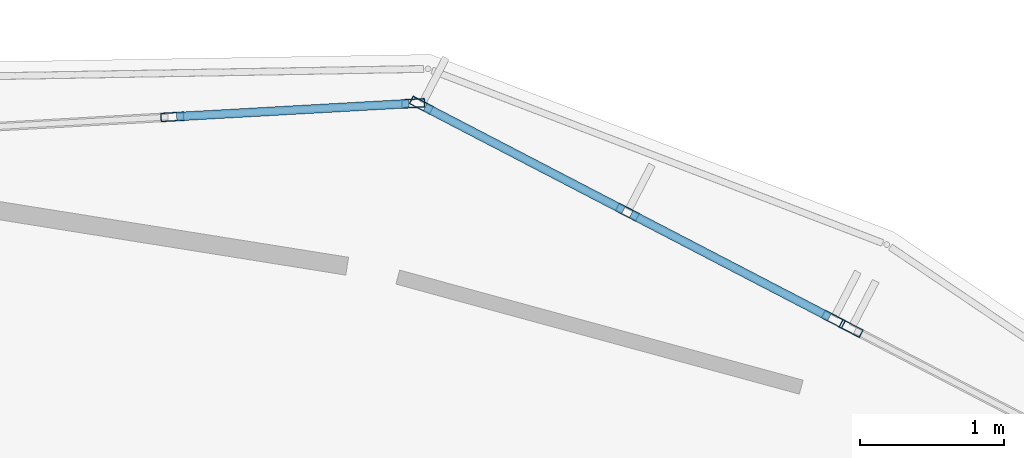
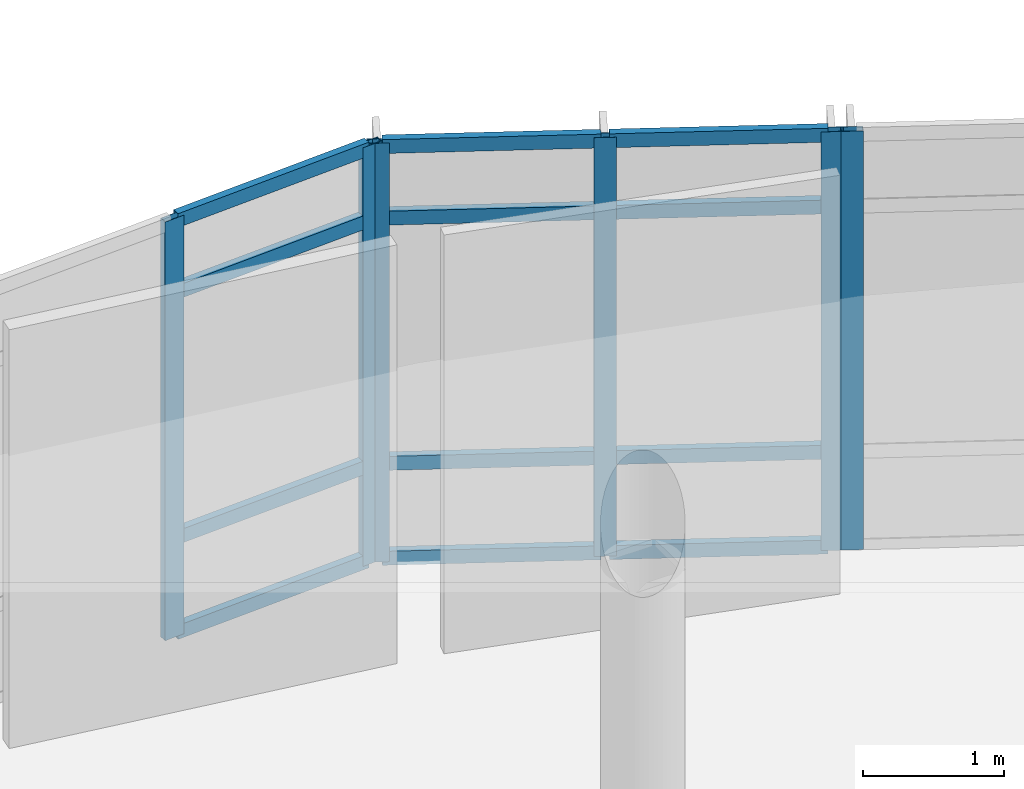
# One storey, part 46 of 74: 18 members, 3 elements without a shape of their own.
"""IFC4 building model written with IfcOpenShell, lengths in metres."""

from ifc_helpers import new_model, si_unit, derived_unit, direction, frame, origin, origin_2d, place, context, subcontext, project, spatial, hollow_rectangle, extrude, material, layer, layer_set, material_profile, profile_set, type_object, element, aggregate, save


model = new_model("IFC4")

# Units and contexts
model_context = context("Model", 3, precision=1e-05, world=origin(), true_north=direction((0.0, 1.0)))
body_context = subcontext(model_context, "Body", "Model", "MODEL_VIEW")
ifc_project = project(units=[si_unit("LENGTHUNIT", "METRE"), si_unit("AREAUNIT", "SQUARE_METRE"), si_unit("VOLUMEUNIT", "CUBIC_METRE"), si_unit("PLANEANGLEUNIT", "RADIAN"), si_unit("MASSUNIT", "GRAM", prefix="KILO"), derived_unit("THERMALTRANSMITTANCEUNIT", [(si_unit("POWERUNIT", "WATT"), 1), (si_unit("LENGTHUNIT", "METRE"), -2), (si_unit("THERMODYNAMICTEMPERATUREUNIT", "KELVIN"), -1)])], contexts=[model_context])

# Site, building, storey
site_placement = place(None, origin())
site = spatial("IfcSite", under=ifc_project, at=site_placement, CompositionType="ELEMENT")
building_placement = place(site_placement, origin())
building = spatial("IfcBuilding", under=site, at=building_placement, Name="Elbkamm Science Centre", CompositionType="ELEMENT")
storey_placement = place(building_placement, frame((0.0, 0.0, 14.39990234375)))
storey = spatial("IfcBuildingStorey", under=building, at=storey_placement, Name="L03", CompositionType="ELEMENT", Elevation=14.39990234375)

# Curtain wall, member
ifc_material_1 = material(Name="Powder-coated aluminium and triple low-E glazing", Category="aluminium")
ifc_layer_1 = layer(ifc_material_1, 0.159912109375)
ifc_layer_set_1 = layer_set([ifc_layer_1], Name="Powder-coated aluminium and triple low-E glazing")
curtain_wall_type_1 = type_object("IfcCurtainWallType", Name="CW-UNIT-3280x3620", PredefinedType="USERDEFINED", material=ifc_layer_set_1)
curtain_wall_1_placement = place(storey_placement, origin())
curtain_wall_1 = element("IfcCurtainWall", 1, at=curtain_wall_1_placement, inside=storey, type_object=curtain_wall_type_1, Name="L03 Unitised Curtain Wall 053", ObjectType="UNITISED CURTAIN WALL", PredefinedType="USERDEFINED")
ifc_material_2 = material(Name="Powder-coated aluminium EN AW-6060", Category="aluminium")
ifc_material_profile_1 = material_profile(ifc_material_2, hollow_rectangle(XDim=0.06005859375, YDim=0.159912109375, WallThickness=0.00390625, at=origin_2d()), Name="ALU M60x160")
ifc_profile_set_1 = profile_set([ifc_material_profile_1], Name="Powder-coated aluminium EN AW-6060")
member_type_1 = type_object("IfcMemberType", Name="CW-MUL-60x160", PredefinedType="MULLION", material=ifc_profile_set_1)
member_1_placement = place(storey_placement, frame((72.29345703125, 88.30126953125, 0.0), z_axis=(0.0, 0.0, 1.0), x_axis=(-0.461070562419, -0.887363474835, 0.0)))
member_1 = element("IfcMember", 2, at=member_1_placement, type_object=member_type_1, Name="CW-024 mullion 3", PredefinedType="MULLION", context=body_context, shape_type="SweptSolid", body=[
    extrude(hollow_rectangle(XDim=0.06005859375, YDim=0.159912109375, WallThickness=0.00390625, at=origin_2d()), origin(), (0.0, 0.0, 1.0), 3.6201171875),
])
aggregate(curtain_wall_1, [member_1])

# Curtain wall, members
curtain_wall_2_placement = place(storey_placement, origin())
curtain_wall_2 = element("IfcCurtainWall", 3, at=curtain_wall_2_placement, inside=storey, type_object=curtain_wall_type_1, Name="L03 Unitised Curtain Wall 054", ObjectType="UNITISED CURTAIN WALL", PredefinedType="USERDEFINED")
member_2_placement = place(storey_placement, frame((72.16943359375, 88.36572265625, 0.0), z_axis=(0.0, 0.0, 1.0), x_axis=(-0.461070562419, -0.887363474835, 0.0)))
member_2 = element("IfcMember", 4, at=member_2_placement, type_object=member_type_1, Name="CW-024 mullion 1", PredefinedType="MULLION", context=body_context, shape_type="SweptSolid", body=[
    extrude(hollow_rectangle(XDim=0.06005859375, YDim=0.159912109375, WallThickness=0.00390625, at=origin_2d()), origin(), (0.0, 0.0, 1.0), 3.6201171875),
])
member_3_placement = place(storey_placement, frame((70.740234375, 89.108154296875, 0.0), z_axis=(0.0, 0.0, 1.0), x_axis=(-0.461070562419, -0.887363474835, 0.0)))
member_3 = element("IfcMember", 5, at=member_3_placement, type_object=member_type_1, Name="CW-024 mullion 2", PredefinedType="MULLION", context=body_context, shape_type="SweptSolid", body=[
    extrude(hollow_rectangle(XDim=0.06005859375, YDim=0.159912109375, WallThickness=0.00390625, at=origin_2d()), origin(), (0.0, 0.0, 1.0), 3.6201171875),
])
member_4_placement = place(storey_placement, frame((69.311279296875, 89.850830078125, 0.0), z_axis=(0.0, 0.0, 1.0), x_axis=(-0.461070562419, -0.887363474835, 0.0)))
member_4 = element("IfcMember", 6, at=member_4_placement, type_object=member_type_1, Name="CW-024 mullion 3", PredefinedType="MULLION", context=body_context, shape_type="SweptSolid", body=[
    extrude(hollow_rectangle(XDim=0.06005859375, YDim=0.159912109375, WallThickness=0.00390625, at=origin_2d()), origin(), (0.0, 0.0, 1.0), 3.6201171875),
])

ifc_layer_2 = layer(ifc_material_1, 0.159912109375)
ifc_layer_set_2 = layer_set([ifc_layer_2], Name="Powder-coated aluminium and triple low-E glazing")
curtain_wall_type_2 = type_object("IfcCurtainWallType", Name="CW-UNIT-3400x3620", PredefinedType="USERDEFINED", material=ifc_layer_set_2)
curtain_wall_3_placement = place(storey_placement, origin())
curtain_wall_3 = element("IfcCurtainWall", 7, at=curtain_wall_3_placement, inside=storey, type_object=curtain_wall_type_2, Name="L03 Unitised Curtain Wall 055", ObjectType="UNITISED CURTAIN WALL", PredefinedType="USERDEFINED")
member_5_placement = place(storey_placement, frame((69.254638671875, 89.863037109375, 0.0), z_axis=(0.0, 0.0, 1.0), x_axis=(0.055785320279, -0.998442786564, 0.0)))
member_5 = element("IfcMember", 8, at=member_5_placement, type_object=member_type_1, Name="CW-025 mullion 1", PredefinedType="MULLION", context=body_context, shape_type="SweptSolid", body=[
    extrude(hollow_rectangle(XDim=0.06005859375, YDim=0.159912109375, WallThickness=0.00390625, at=origin_2d()), origin(), (0.0, 0.0, 1.0), 3.6201171875),
])
member_6_placement = place(storey_placement, frame((67.58349609375, 89.76953125, 0.0), z_axis=(0.0, 0.0, 1.0), x_axis=(0.055785320279, -0.998442786564, 0.0)))
member_6 = element("IfcMember", 9, at=member_6_placement, type_object=member_type_1, Name="CW-025 mullion 2", PredefinedType="MULLION", context=body_context, shape_type="SweptSolid", body=[
    extrude(hollow_rectangle(XDim=0.06005859375, YDim=0.159912109375, WallThickness=0.00390625, at=origin_2d()), origin(), (0.0, 0.0, 1.0), 3.6201171875),
])

# Member
ifc_material_profile_2 = material_profile(ifc_material_2, hollow_rectangle(XDim=0.06005859375, YDim=0.1201171875, WallThickness=0.00341796875, at=origin_2d()), Name="ALU T60x120")
ifc_profile_set_2 = profile_set([ifc_material_profile_2], Name="Powder-coated aluminium EN AW-6060")
member_type_2 = type_object("IfcMemberType", Name="CW-TRN-60x120", PredefinedType="USERDEFINED", material=ifc_profile_set_2)
member_7_placement = place(storey_placement, frame((72.142822265625, 88.379638671875, 0.030029296875), z_axis=(-0.88735856407, 0.461080013416, 0.0), x_axis=(-0.461080013416, -0.88735856407, 0.0)))
member_7 = element("IfcMember", 10, at=member_7_placement, type_object=member_type_2, Name="CW-024 transom 1.1", ObjectType="TRANSOM", PredefinedType="USERDEFINED", context=body_context, shape_type="SweptSolid", body=[
    extrude(hollow_rectangle(XDim=0.06005859375, YDim=0.1201171875, WallThickness=0.00341796875, at=origin_2d()), origin(), (0.0, 0.0, 1.0), 1.55029296875),
])

member_8_placement = place(storey_placement, frame((72.142822265625, 88.379638671875, 0.85009765625), z_axis=(-0.88735856407, 0.461080013416, 0.0), x_axis=(-0.461080013416, -0.88735856407, 0.0)))
member_8 = element("IfcMember", 11, at=member_8_placement, type_object=member_type_2, Name="CW-024 transom 1.2", ObjectType="TRANSOM", PredefinedType="USERDEFINED", context=body_context, shape_type="SweptSolid", body=[
    extrude(hollow_rectangle(XDim=0.06005859375, YDim=0.1201171875, WallThickness=0.00341796875, at=origin_2d()), origin(), (0.0, 0.0, 1.0), 1.55029296875),
])

member_9_placement = place(storey_placement, frame((72.142822265625, 88.379638671875, 2.97021484375), z_axis=(-0.88735856407, 0.461080013416, 0.0), x_axis=(-0.461080013416, -0.88735856407, 0.0)))
member_9 = element("IfcMember", 12, at=member_9_placement, type_object=member_type_2, Name="CW-024 transom 1.3", ObjectType="TRANSOM", PredefinedType="USERDEFINED", context=body_context, shape_type="SweptSolid", body=[
    extrude(hollow_rectangle(XDim=0.06005859375, YDim=0.1201171875, WallThickness=0.00341796875, at=origin_2d()), origin(), (0.0, 0.0, 1.0), 1.55029296875),
])

member_10_placement = place(storey_placement, frame((72.142822265625, 88.379638671875, 3.590087890625), z_axis=(-0.88735856407, 0.461080013416, 0.0), x_axis=(-0.461080013416, -0.88735856407, 0.0)))
member_10 = element("IfcMember", 13, at=member_10_placement, type_object=member_type_2, Name="CW-024 transom 1.4", ObjectType="TRANSOM", PredefinedType="USERDEFINED", context=body_context, shape_type="SweptSolid", body=[
    extrude(hollow_rectangle(XDim=0.06005859375, YDim=0.1201171875, WallThickness=0.00341796875, at=origin_2d()), origin(), (0.0, 0.0, 1.0), 1.55029296875),
])

member_11_placement = place(storey_placement, frame((70.713623046875, 89.1220703125, 0.030029296875), z_axis=(-0.88735856407, 0.461080013416, 0.0), x_axis=(-0.461080013416, -0.88735856407, 0.0)))
member_11 = element("IfcMember", 14, at=member_11_placement, type_object=member_type_2, Name="CW-024 transom 2.1", ObjectType="TRANSOM", PredefinedType="USERDEFINED", context=body_context, shape_type="SweptSolid", body=[
    extrude(hollow_rectangle(XDim=0.06005859375, YDim=0.1201171875, WallThickness=0.00341796875, at=origin_2d()), origin(), (0.0, 0.0, 1.0), 1.55029296875),
])

member_12_placement = place(storey_placement, frame((70.713623046875, 89.1220703125, 0.85009765625), z_axis=(-0.88735856407, 0.461080013416, 0.0), x_axis=(-0.461080013416, -0.88735856407, 0.0)))
member_12 = element("IfcMember", 15, at=member_12_placement, type_object=member_type_2, Name="CW-024 transom 2.2", ObjectType="TRANSOM", PredefinedType="USERDEFINED", context=body_context, shape_type="SweptSolid", body=[
    extrude(hollow_rectangle(XDim=0.06005859375, YDim=0.1201171875, WallThickness=0.00341796875, at=origin_2d()), origin(), (0.0, 0.0, 1.0), 1.55029296875),
])

member_13_placement = place(storey_placement, frame((70.713623046875, 89.1220703125, 2.97021484375), z_axis=(-0.88735856407, 0.461080013416, 0.0), x_axis=(-0.461080013416, -0.88735856407, 0.0)))
member_13 = element("IfcMember", 16, at=member_13_placement, type_object=member_type_2, Name="CW-024 transom 2.3", ObjectType="TRANSOM", PredefinedType="USERDEFINED", context=body_context, shape_type="SweptSolid", body=[
    extrude(hollow_rectangle(XDim=0.06005859375, YDim=0.1201171875, WallThickness=0.00341796875, at=origin_2d()), origin(), (0.0, 0.0, 1.0), 1.55029296875),
])

member_14_placement = place(storey_placement, frame((70.713623046875, 89.1220703125, 3.590087890625), z_axis=(-0.88735856407, 0.461080013416, 0.0), x_axis=(-0.461080013416, -0.88735856407, 0.0)))
member_14 = element("IfcMember", 17, at=member_14_placement, type_object=member_type_2, Name="CW-024 transom 2.4", ObjectType="TRANSOM", PredefinedType="USERDEFINED", context=body_context, shape_type="SweptSolid", body=[
    extrude(hollow_rectangle(XDim=0.06005859375, YDim=0.1201171875, WallThickness=0.00341796875, at=origin_2d()), origin(), (0.0, 0.0, 1.0), 1.55029296875),
])

aggregate(curtain_wall_2, [member_2, member_3, member_4, member_7, member_8, member_9, member_10, member_11, member_12, member_13, member_14])

member_15_placement = place(storey_placement, frame((69.224853515625, 89.861328125, 0.030029296875), z_axis=(-0.998440741305, -0.055821914173, 0.0), x_axis=(0.055821914173, -0.998440741305, 0.0)))
member_15 = element("IfcMember", 18, at=member_15_placement, type_object=member_type_2, Name="CW-025 transom 1.1", ObjectType="TRANSOM", PredefinedType="USERDEFINED", context=body_context, shape_type="SweptSolid", body=[
    extrude(hollow_rectangle(XDim=0.06005859375, YDim=0.1201171875, WallThickness=0.00341796875, at=origin_2d()), origin(), (0.0, 0.0, 1.0), 1.61376953125),
])

member_16_placement = place(storey_placement, frame((69.224853515625, 89.861328125, 0.85009765625), z_axis=(-0.998440741305, -0.055821914173, 0.0), x_axis=(0.055821914173, -0.998440741305, 0.0)))
member_16 = element("IfcMember", 19, at=member_16_placement, type_object=member_type_2, Name="CW-025 transom 1.2", ObjectType="TRANSOM", PredefinedType="USERDEFINED", context=body_context, shape_type="SweptSolid", body=[
    extrude(hollow_rectangle(XDim=0.06005859375, YDim=0.1201171875, WallThickness=0.00341796875, at=origin_2d()), origin(), (0.0, 0.0, 1.0), 1.61376953125),
])

member_17_placement = place(storey_placement, frame((69.224853515625, 89.861328125, 2.97021484375), z_axis=(-0.998440741305, -0.055821914173, 0.0), x_axis=(0.055821914173, -0.998440741305, 0.0)))
member_17 = element("IfcMember", 20, at=member_17_placement, type_object=member_type_2, Name="CW-025 transom 1.3", ObjectType="TRANSOM", PredefinedType="USERDEFINED", context=body_context, shape_type="SweptSolid", body=[
    extrude(hollow_rectangle(XDim=0.06005859375, YDim=0.1201171875, WallThickness=0.00341796875, at=origin_2d()), origin(), (0.0, 0.0, 1.0), 1.61376953125),
])

member_18_placement = place(storey_placement, frame((69.224853515625, 89.861328125, 3.590087890625), z_axis=(-0.998440741305, -0.055821914173, 0.0), x_axis=(0.055821914173, -0.998440741305, 0.0)))
member_18 = element("IfcMember", 21, at=member_18_placement, type_object=member_type_2, Name="CW-025 transom 1.4", ObjectType="TRANSOM", PredefinedType="USERDEFINED", context=body_context, shape_type="SweptSolid", body=[
    extrude(hollow_rectangle(XDim=0.06005859375, YDim=0.1201171875, WallThickness=0.00341796875, at=origin_2d()), origin(), (0.0, 0.0, 1.0), 1.61376953125),
])

aggregate(curtain_wall_3, [member_5, member_6, member_15, member_16, member_17, member_18])

save(model, "model.ifc")
